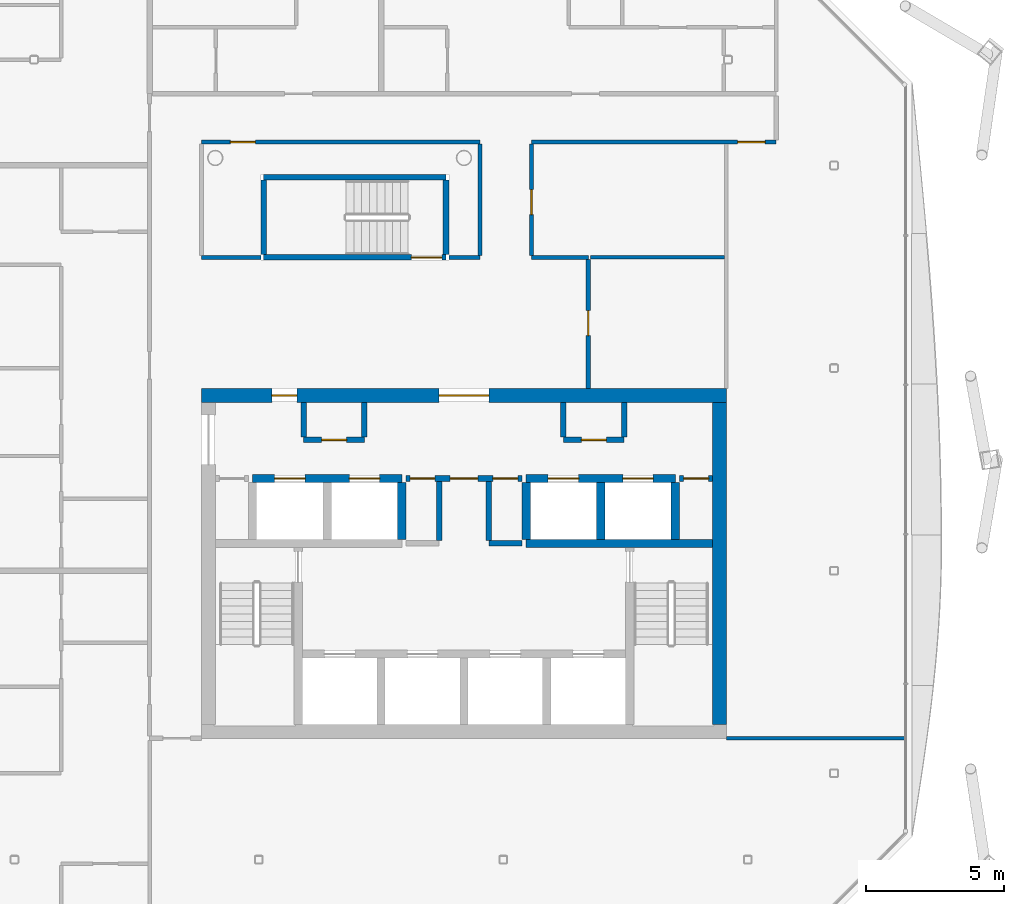
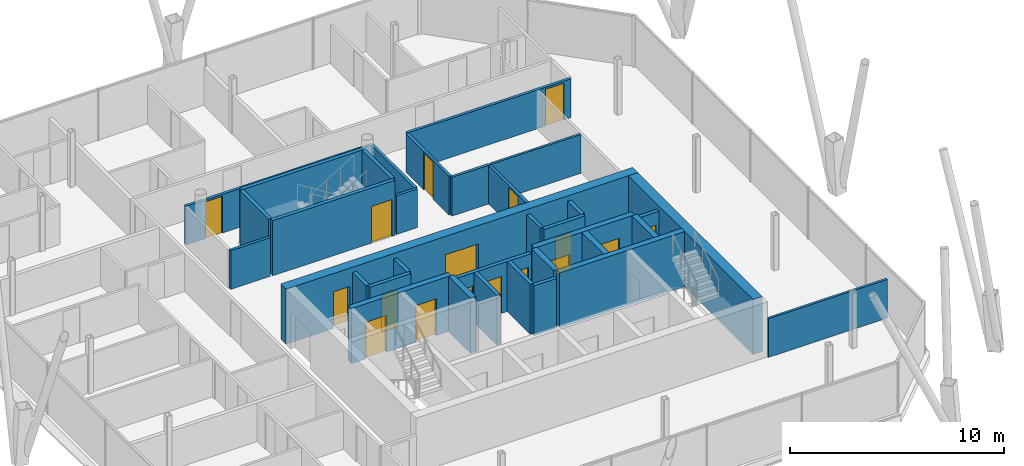
# One storey, part 13 of 18: 34 walls, 17 doors, 17 openings.
"""IFC4 building model written with IfcOpenShell, lengths in metres."""

from ifc_helpers import new_model, si_unit, direction, frame, frame_2d, origin, place, context, subcontext, project, spatial, rectangle, extrude, material, layer, layer_set, type_object, element, fill, save


model = new_model("IFC4")

# Units and contexts
model_context = context("Model", 3, precision=1e-05, world=origin(), true_north=direction((0.0, 1.0)))
body_context = subcontext(model_context, "Body", "Model", "MODEL_VIEW")
ifc_project = project(units=[si_unit("LENGTHUNIT", "METRE"), si_unit("AREAUNIT", "SQUARE_METRE"), si_unit("VOLUMEUNIT", "CUBIC_METRE"), si_unit("PLANEANGLEUNIT", "RADIAN"), si_unit("MASSUNIT", "GRAM", prefix="KILO")], contexts=[model_context])

# Site, building, storey
site_placement = place(None, origin())
site = spatial("IfcSite", under=ifc_project, at=site_placement, CompositionType="ELEMENT")
building_placement = place(site_placement, origin())
building = spatial("IfcBuilding", under=site, at=building_placement, Name="Tskaro Facet Tower", CompositionType="ELEMENT")
storey_placement = place(building_placement, frame((0.0, 0.0, 217.199951171875)))
storey = spatial("IfcBuildingStorey", under=building, at=storey_placement, Name="L55", CompositionType="ELEMENT", Elevation=217.199951171875)

# Wall
ifc_material_1 = material(Name="Concrete C60/75", Category="concrete")
ifc_layer_1 = layer(ifc_material_1, 0.300048828125, Name="Concrete C60/75")
ifc_layer_set_1 = layer_set([ifc_layer_1], Name="Concrete C60/75")
wall_type_1 = type_object("IfcWallType", Name="CORE-SHAFT", PredefinedType="SHEAR", material=ifc_layer_set_1)
wall_1_placement = place(storey_placement, frame((2.25, -4.949951171875, 0.0), z_axis=(0.0, 0.0, 1.0), x_axis=(1.0, 0.0, 0.0)))
element("IfcWall", 1, at=wall_1_placement, inside=storey, type_object=wall_type_1, Name="Shaft wall W014", PredefinedType="SHEAR", context=body_context, shape_type="SweptSolid", body=[
    extrude(rectangle(XDim=6.75, YDim=0.300048828125, at=frame_2d((3.375, 0.0))), origin(), (0.0, 0.0, 1.0), 3.150146484375),
])

# Wall, openings, doors
wall_2_placement = place(storey_placement, frame((-7.64990234375, -2.60009765625, 0.0), z_axis=(0.0, 0.0, 1.0), x_axis=(1.0, 0.0, 0.0)))
wall_2 = element("IfcWall", 2, at=wall_2_placement, inside=storey, type_object=wall_type_1, Name="Shaft wall W017", PredefinedType="SHEAR", context=body_context, shape_type="SweptSolid", body=[
    extrude(rectangle(XDim=5.39990234375, YDim=0.300048828125, at=frame_2d((2.699951171875, 0.0))), origin(), (0.0, 0.0, 1.0), 3.150146484375),
])
opening_1_placement = place(wall_2_placement, frame((0.800048828125, 0.0, 0.0)))
opening_1 = element("IfcOpeningElement", 3, at=opening_1_placement, cuts=wall_2, Name="Opening LD-HB1", PredefinedType="OPENING", context=body_context, shape_type="SweptSolid", body=[
    extrude(rectangle(XDim=1.10009765625, YDim=2.10009765625, at=frame_2d((0.550048828125, 1.050048828125))), frame((0.0, 0.159912109375, 0.0), z_axis=(0.0, -1.0, 0.0), x_axis=(1.0, 0.0, 0.0)), (0.0, 0.0, 1.0), 0.320068359375),
])
opening_2_placement = place(wall_2_placement, frame((3.5, 0.0, 0.0)))
opening_2 = element("IfcOpeningElement", 4, at=opening_2_placement, cuts=wall_2, Name="Opening LD-HB2", PredefinedType="OPENING", context=body_context, shape_type="SweptSolid", body=[
    extrude(rectangle(XDim=1.10009765625, YDim=2.10009765625, at=frame_2d((0.550048828125, 1.050048828125))), frame((0.0, 0.159912109375, 0.0), z_axis=(0.0, -1.0, 0.0), x_axis=(1.0, 0.0, 0.0)), (0.0, 0.0, 1.0), 0.320068359375),
])
ifc_material_2 = material(Name="Stainless steel", Category="steel")
door_type_1 = type_object("IfcDoorType", Name="D-LANDING", OperationType="NOTDEFINED", PredefinedType="DOOR", material=ifc_material_2)
door_1_placement = place(opening_1_placement, origin())
door_1 = element("IfcDoor", 5, at=door_1_placement, inside=storey, type_object=door_type_1, Name="Landing door HB1", OperationType="DOUBLE_DOOR_SLIDING", OverallHeight=2.10009765625, OverallWidth=1.10009765625, PredefinedType="DOOR", context=body_context, shape_type="SweptSolid", body=[
    extrude(rectangle(XDim=1.10009765625, YDim=2.10009765625, at=frame_2d((0.550048828125, 1.050048828125))), frame((0.0, 0.02490234375, 0.0), z_axis=(0.0, -1.0, 0.0), x_axis=(1.0, 0.0, 0.0)), (0.0, 0.0, 1.0), 0.050048828125),
])
fill(opening_1, door_1)
door_2_placement = place(opening_2_placement, origin())
door_2 = element("IfcDoor", 6, at=door_2_placement, inside=storey, type_object=door_type_1, Name="Landing door HB2", OperationType="DOUBLE_DOOR_SLIDING", OverallHeight=2.10009765625, OverallWidth=1.10009765625, PredefinedType="DOOR", context=body_context, shape_type="SweptSolid", body=[
    extrude(rectangle(XDim=1.10009765625, YDim=2.10009765625, at=frame_2d((0.550048828125, 1.050048828125))), frame((0.0, 0.02490234375, 0.0), z_axis=(0.0, -1.0, 0.0), x_axis=(1.0, 0.0, 0.0)), (0.0, 0.0, 1.0), 0.050048828125),
])
fill(opening_2, door_2)

wall_3_placement = place(storey_placement, frame((2.25, -2.60009765625, 0.0), z_axis=(0.0, 0.0, 1.0), x_axis=(1.0, 0.0, 0.0)))
wall_3 = element("IfcWall", 7, at=wall_3_placement, inside=storey, type_object=wall_type_1, Name="Shaft wall W019", PredefinedType="SHEAR", context=body_context, shape_type="SweptSolid", body=[
    extrude(rectangle(XDim=5.39990234375, YDim=0.300048828125, at=frame_2d((2.699951171875, 0.0))), origin(), (0.0, 0.0, 1.0), 3.150146484375),
])
opening_3_placement = place(wall_3_placement, frame((0.800048828125, 0.0, 0.0)))
opening_3 = element("IfcOpeningElement", 8, at=opening_3_placement, cuts=wall_3, Name="Opening LD-HB3", PredefinedType="OPENING", context=body_context, shape_type="SweptSolid", body=[
    extrude(rectangle(XDim=1.10009765625, YDim=2.10009765625, at=frame_2d((0.550048828125, 1.050048828125))), frame((0.0, 0.159912109375, 0.0), z_axis=(0.0, -1.0, 0.0), x_axis=(1.0, 0.0, 0.0)), (0.0, 0.0, 1.0), 0.320068359375),
])
opening_4_placement = place(wall_3_placement, frame((3.5, 0.0, 0.0)))
opening_4 = element("IfcOpeningElement", 9, at=opening_4_placement, cuts=wall_3, Name="Opening LD-HB4", PredefinedType="OPENING", context=body_context, shape_type="SweptSolid", body=[
    extrude(rectangle(XDim=1.10009765625, YDim=2.10009765625, at=frame_2d((0.550048828125, 1.050048828125))), frame((0.0, 0.159912109375, 0.0), z_axis=(0.0, -1.0, 0.0), x_axis=(1.0, 0.0, 0.0)), (0.0, 0.0, 1.0), 0.320068359375),
])
door_3_placement = place(opening_3_placement, origin())
door_3 = element("IfcDoor", 10, at=door_3_placement, inside=storey, type_object=door_type_1, Name="Landing door HB3", OperationType="DOUBLE_DOOR_SLIDING", OverallHeight=2.10009765625, OverallWidth=1.10009765625, PredefinedType="DOOR", context=body_context, shape_type="SweptSolid", body=[
    extrude(rectangle(XDim=1.10009765625, YDim=2.10009765625, at=frame_2d((0.550048828125, 1.050048828125))), frame((0.0, 0.02490234375, 0.0), z_axis=(0.0, -1.0, 0.0), x_axis=(1.0, 0.0, 0.0)), (0.0, 0.0, 1.0), 0.050048828125),
])
fill(opening_3, door_3)
door_4_placement = place(opening_4_placement, origin())
door_4 = element("IfcDoor", 11, at=door_4_placement, inside=storey, type_object=door_type_1, Name="Landing door HB4", OperationType="DOUBLE_DOOR_SLIDING", OverallHeight=2.10009765625, OverallWidth=1.10009765625, PredefinedType="DOOR", context=body_context, shape_type="SweptSolid", body=[
    extrude(rectangle(XDim=1.10009765625, YDim=2.10009765625, at=frame_2d((0.550048828125, 1.050048828125))), frame((0.0, 0.02490234375, 0.0), z_axis=(0.0, -1.0, 0.0), x_axis=(1.0, 0.0, 0.0)), (0.0, 0.0, 1.0), 0.050048828125),
])
fill(opening_4, door_4)

# Walls
for number, where, z_axis, x_axis, name in (
    (12, (-2.25, -4.800048828125, 0.0), (0.0, 0.0, 1.0), (0.0, 1.0, 0.0), "Shaft wall W065"),
    (13, (2.25, -4.800048828125, 0.0), (0.0, 0.0, 1.0), (0.0, 1.0, 0.0), "Shaft wall W072"),
    (14, (4.949951171875, -4.800048828125, 0.0), (0.0, 0.0, 1.0), (0.0, 1.0, 0.0), "Shaft wall W078"),
    (15, (7.64990234375, -4.800048828125, 0.0), (0.0, 0.0, 1.0), (0.0, 1.0, 0.0), "Shaft wall W083"),
):
    element("IfcWall", number, at=place(storey_placement, frame(where, z_axis=z_axis, x_axis=x_axis)), inside=storey, type_object=wall_type_1, Name=name, PredefinedType="SHEAR", context=body_context, shape_type="SweptSolid", body=[
        extrude(rectangle(XDim=2.050048828125, YDim=0.300048828125, at=frame_2d((1.02490234375, 0.0))), origin(), (0.0, 0.0, 1.0), 3.150146484375),
    ])
ifc_material_3 = material(Name="Concrete C20/25", Category="concrete")
ifc_layer_2 = layer(ifc_material_3, 0.199951171875, Name="Concrete C20/25")
ifc_layer_set_2 = layer_set([ifc_layer_2], Name="Concrete C20/25")
wall_type_2 = type_object("IfcWallType", Name="CORE-WALL", PredefinedType="SOLIDWALL", material=ifc_layer_set_2)
wall_4_placement = place(storey_placement, frame((0.89990234375, -4.949951171875, 0.0), z_axis=(0.0, 0.0, 1.0), x_axis=(1.0, 0.0, 0.0)))
element("IfcWall", 16, at=wall_4_placement, inside=storey, type_object=wall_type_2, Name="Core room wall W013", PredefinedType="SOLIDWALL", context=body_context, shape_type="SweptSolid", body=[
    extrude(rectangle(XDim=1.2001953125, YDim=0.199951171875, at=frame_2d((0.60009765625, 0.0))), origin(), (0.0, 0.0, 1.0), 2.85009765625),
])

# Wall, openings, doors
wall_5_placement = place(storey_placement, frame((2.10009765625, -2.60009765625, 0.0), z_axis=(0.0, 0.0, 1.0), x_axis=(-1.0, 0.0, 0.0)))
wall_5 = element("IfcWall", 17, at=wall_5_placement, inside=storey, type_object=wall_type_2, Name="Core room wall W018", PredefinedType="SOLIDWALL", context=body_context, shape_type="SweptSolid", body=[
    extrude(rectangle(XDim=4.2001953125, YDim=0.199951171875, at=frame_2d((2.10009765625, 0.0))), origin(), (0.0, 0.0, 1.0), 2.85009765625),
])
opening_5_placement = place(wall_5_placement, frame((1.60009765625, 0.0, 0.0)))
opening_5 = element("IfcOpeningElement", 18, at=opening_5_placement, cuts=wall_5, Name="Opening FL-D1", PredefinedType="OPENING", context=body_context, shape_type="SweptSolid", body=[
    extrude(rectangle(XDim=1.0, YDim=2.10009765625, at=frame_2d((0.5, 1.050048828125))), frame((0.0, 0.10986328125, 0.0), z_axis=(0.0, -1.0, 0.0), x_axis=(1.0, 0.0, 0.0)), (0.0, 0.0, 1.0), 0.219970703125),
])
opening_6_placement = place(wall_5_placement, frame((3.14990234375, 0.0, 0.0)))
opening_6 = element("IfcOpeningElement", 19, at=opening_6_placement, cuts=wall_5, Name="Opening T16-D09", PredefinedType="OPENING", context=body_context, shape_type="SweptSolid", body=[
    extrude(rectangle(XDim=0.89990234375, YDim=2.10009765625, at=frame_2d((0.449951171875, 1.050048828125))), frame((0.0, 0.10986328125, 0.0), z_axis=(0.0, -1.0, 0.0), x_axis=(1.0, 0.0, 0.0)), (0.0, 0.0, 1.0), 0.219970703125),
])
opening_7_placement = place(wall_5_placement, frame((0.14990234375, 0.0, 0.0)))
opening_7 = element("IfcOpeningElement", 20, at=opening_7_placement, cuts=wall_5, Name="Opening T16-D10", PredefinedType="OPENING", context=body_context, shape_type="SweptSolid", body=[
    extrude(rectangle(XDim=0.89990234375, YDim=2.10009765625, at=frame_2d((0.449951171875, 1.050048828125))), frame((0.0, 0.10986328125, 0.0), z_axis=(0.0, -1.0, 0.0), x_axis=(1.0, 0.0, 0.0)), (0.0, 0.0, 1.0), 0.219970703125),
])
ifc_material_4 = material(Name="Steel", Category="steel")
door_type_2 = type_object("IfcDoorType", Name="D-LOBBY", OperationType="NOTDEFINED", PredefinedType="DOOR", material=ifc_material_4)
door_5_placement = place(opening_5_placement, origin())
door_5 = element("IfcDoor", 21, at=door_5_placement, inside=storey, type_object=door_type_2, Name="Lobby door FL", OperationType="SINGLE_SWING_RIGHT", OverallHeight=2.10009765625, OverallWidth=1.0, PredefinedType="DOOR", context=body_context, shape_type="SweptSolid", body=[
    extrude(rectangle(XDim=1.0, YDim=2.10009765625, at=frame_2d((0.5, 1.050048828125))), frame((0.0, 0.02490234375, 0.0), z_axis=(0.0, -1.0, 0.0), x_axis=(1.0, 0.0, 0.0)), (0.0, 0.0, 1.0), 0.050048828125),
])
fill(opening_5, door_5)
ifc_material_5 = material(Name="Timber", Category="wood")
door_type_3 = type_object("IfcDoorType", Name="D-ROOM", OperationType="NOTDEFINED", PredefinedType="DOOR", material=ifc_material_5)
door_6_placement = place(opening_6_placement, origin())
door_6 = element("IfcDoor", 22, at=door_6_placement, inside=storey, type_object=door_type_3, Name="Door T16-D09", OperationType="SINGLE_SWING_RIGHT", OverallHeight=2.10009765625, OverallWidth=0.89990234375, PredefinedType="DOOR", context=body_context, shape_type="SweptSolid", body=[
    extrude(rectangle(XDim=0.89990234375, YDim=2.10009765625, at=frame_2d((0.449951171875, 1.050048828125))), frame((0.0, 0.02490234375, 0.0), z_axis=(0.0, -1.0, 0.0), x_axis=(1.0, 0.0, 0.0)), (0.0, 0.0, 1.0), 0.050048828125),
])
fill(opening_6, door_6)
door_7_placement = place(opening_7_placement, origin())
door_7 = element("IfcDoor", 23, at=door_7_placement, inside=storey, type_object=door_type_3, Name="Door T16-D10", OperationType="SINGLE_SWING_RIGHT", OverallHeight=2.10009765625, OverallWidth=0.89990234375, PredefinedType="DOOR", context=body_context, shape_type="SweptSolid", body=[
    extrude(rectangle(XDim=0.89990234375, YDim=2.10009765625, at=frame_2d((0.449951171875, 1.050048828125))), frame((0.0, 0.02490234375, 0.0), z_axis=(0.0, -1.0, 0.0), x_axis=(1.0, 0.0, 0.0)), (0.0, 0.0, 1.0), 0.050048828125),
])
fill(opening_7, door_7)

# Wall, opening, door
wall_6_placement = place(storey_placement, frame((9.0, -2.60009765625, 0.0), z_axis=(0.0, 0.0, 1.0), x_axis=(-1.0, 0.0, 0.0)))
wall_6 = element("IfcWall", 24, at=wall_6_placement, inside=storey, type_object=wall_type_2, Name="Core room wall W020", PredefinedType="SOLIDWALL", context=body_context, shape_type="SweptSolid", body=[
    extrude(rectangle(XDim=1.199951171875, YDim=0.199951171875, at=frame_2d((0.60009765625, 0.0))), origin(), (0.0, 0.0, 1.0), 2.85009765625),
])
opening_8_placement = place(wall_6_placement, frame((0.14990234375, 0.0, 0.0)))
opening_8 = element("IfcOpeningElement", 25, at=opening_8_placement, cuts=wall_6, Name="Opening T16-D11", PredefinedType="OPENING", context=body_context, shape_type="SweptSolid", body=[
    extrude(rectangle(XDim=0.89990234375, YDim=2.10009765625, at=frame_2d((0.449951171875, 1.050048828125))), frame((0.0, 0.10986328125, 0.0), z_axis=(0.0, -1.0, 0.0), x_axis=(1.0, 0.0, 0.0)), (0.0, 0.0, 1.0), 0.219970703125),
])
door_8_placement = place(opening_8_placement, origin())
door_8 = element("IfcDoor", 26, at=door_8_placement, inside=storey, type_object=door_type_3, Name="Door T16-D11", OperationType="SINGLE_SWING_RIGHT", OverallHeight=2.10009765625, OverallWidth=0.89990234375, PredefinedType="DOOR", context=body_context, shape_type="SweptSolid", body=[
    extrude(rectangle(XDim=0.89990234375, YDim=2.10009765625, at=frame_2d((0.449951171875, 1.050048828125))), frame((0.0, 0.02490234375, 0.0), z_axis=(0.0, -1.0, 0.0), x_axis=(1.0, 0.0, 0.0)), (0.0, 0.0, 1.0), 0.050048828125),
])
fill(opening_8, door_8)

wall_7_placement = place(storey_placement, frame((-5.800048828125, -1.199951171875, 0.0), z_axis=(0.0, 0.0, 1.0), x_axis=(1.0, 0.0, 0.0)))
wall_7 = element("IfcWall", 27, at=wall_7_placement, inside=storey, type_object=wall_type_2, Name="Core room wall W022", PredefinedType="SOLIDWALL", context=body_context, shape_type="SweptSolid", body=[
    extrude(rectangle(XDim=2.199951171875, YDim=0.199951171875, at=frame_2d((1.10009765625, 0.0))), origin(), (0.0, 0.0, 1.0), 2.85009765625),
])
opening_9_placement = place(wall_7_placement, frame((0.64990234375, 0.0, 0.0)))
opening_9 = element("IfcOpeningElement", 28, at=opening_9_placement, cuts=wall_7, Name="Opening T16-D14", PredefinedType="OPENING", context=body_context, shape_type="SweptSolid", body=[
    extrude(rectangle(XDim=0.89990234375, YDim=2.10009765625, at=frame_2d((0.449951171875, 1.050048828125))), frame((0.0, 0.10986328125, 0.0), z_axis=(0.0, -1.0, 0.0), x_axis=(1.0, 0.0, 0.0)), (0.0, 0.0, 1.0), 0.219970703125),
])
door_9_placement = place(opening_9_placement, origin())
door_9 = element("IfcDoor", 29, at=door_9_placement, inside=storey, type_object=door_type_3, Name="Door T16-D14", OperationType="SINGLE_SWING_LEFT", OverallHeight=2.10009765625, OverallWidth=0.89990234375, PredefinedType="DOOR", context=body_context, shape_type="SweptSolid", body=[
    extrude(rectangle(XDim=0.89990234375, YDim=2.10009765625, at=frame_2d((0.449951171875, 1.050048828125))), frame((0.0, 0.02490234375, 0.0), z_axis=(0.0, -1.0, 0.0), x_axis=(1.0, 0.0, 0.0)), (0.0, 0.0, 1.0), 0.050048828125),
])
fill(opening_9, door_9)

wall_8_placement = place(storey_placement, frame((3.60009765625, -1.199951171875, 0.0), z_axis=(0.0, 0.0, 1.0), x_axis=(1.0, 0.0, 0.0)))
wall_8 = element("IfcWall", 30, at=wall_8_placement, inside=storey, type_object=wall_type_2, Name="Core room wall W023", PredefinedType="SOLIDWALL", context=body_context, shape_type="SweptSolid", body=[
    extrude(rectangle(XDim=2.199951171875, YDim=0.199951171875, at=frame_2d((1.10009765625, 0.0))), origin(), (0.0, 0.0, 1.0), 2.85009765625),
])
opening_10_placement = place(wall_8_placement, frame((0.64990234375, 0.0, 0.0)))
opening_10 = element("IfcOpeningElement", 31, at=opening_10_placement, cuts=wall_8, Name="Opening T16-D15", PredefinedType="OPENING", context=body_context, shape_type="SweptSolid", body=[
    extrude(rectangle(XDim=0.89990234375, YDim=2.10009765625, at=frame_2d((0.449951171875, 1.050048828125))), frame((0.0, 0.10986328125, 0.0), z_axis=(0.0, -1.0, 0.0), x_axis=(1.0, 0.0, 0.0)), (0.0, 0.0, 1.0), 0.219970703125),
])
door_10_placement = place(opening_10_placement, origin())
door_10 = element("IfcDoor", 32, at=door_10_placement, inside=storey, type_object=door_type_3, Name="Door T16-D15", OperationType="SINGLE_SWING_LEFT", OverallHeight=2.10009765625, OverallWidth=0.89990234375, PredefinedType="DOOR", context=body_context, shape_type="SweptSolid", body=[
    extrude(rectangle(XDim=0.89990234375, YDim=2.10009765625, at=frame_2d((0.449951171875, 1.050048828125))), frame((0.0, 0.02490234375, 0.0), z_axis=(0.0, -1.0, 0.0), x_axis=(1.0, 0.0, 0.0)), (0.0, 0.0, 1.0), 0.050048828125),
])
fill(opening_10, door_10)

# Walls
for number, where, z_axis, x_axis, name in (
    (33, (-5.800048828125, -1.10009765625, 0.0), (0.0, 0.0, 1.0), (0.0, 1.0, 0.0), "Core room wall W059"),
    (34, (-3.60009765625, -1.10009765625, 0.0), (0.0, 0.0, 1.0), (0.0, 1.0, 0.0), "Core room wall W061"),
):
    element("IfcWall", number, at=place(storey_placement, frame(where, z_axis=z_axis, x_axis=x_axis)), inside=storey, type_object=wall_type_2, Name=name, PredefinedType="SOLIDWALL", context=body_context, shape_type="SweptSolid", body=[
        extrude(rectangle(XDim=1.25, YDim=0.199951171875, at=frame_2d((0.625, 0.0))), origin(), (0.0, 0.0, 1.0), 2.85009765625),
    ])
for number, where, z_axis, x_axis, name in (
    (35, (-0.89990234375, -4.85009765625, 0.0), (0.0, 0.0, 1.0), (0.0, 1.0, 0.0), "Core room wall W066"),
    (36, (0.89990234375, -4.85009765625, 0.0), (0.0, 0.0, 1.0), (0.0, 1.0, 0.0), "Core room wall W071"),
):
    element("IfcWall", number, at=place(storey_placement, frame(where, z_axis=z_axis, x_axis=x_axis)), inside=storey, type_object=wall_type_2, Name=name, PredefinedType="SOLIDWALL", context=body_context, shape_type="SweptSolid", body=[
        extrude(rectangle(XDim=2.150146484375, YDim=0.199951171875, at=frame_2d((1.0751953125, 0.0))), origin(), (0.0, 0.0, 1.0), 2.85009765625),
    ])
for number, where, z_axis, x_axis, name in (
    (37, (3.60009765625, -1.10009765625, 0.0), (0.0, 0.0, 1.0), (0.0, 1.0, 0.0), "Core room wall W075"),
    (38, (5.800048828125, -1.10009765625, 0.0), (0.0, 0.0, 1.0), (0.0, 1.0, 0.0), "Core room wall W081"),
):
    element("IfcWall", number, at=place(storey_placement, frame(where, z_axis=z_axis, x_axis=x_axis)), inside=storey, type_object=wall_type_2, Name=name, PredefinedType="SOLIDWALL", context=body_context, shape_type="SweptSolid", body=[
        extrude(rectangle(XDim=1.25, YDim=0.199951171875, at=frame_2d((0.625, 0.0))), origin(), (0.0, 0.0, 1.0), 2.85009765625),
    ])

# Wall, openings, doors
ifc_material_6 = material(Name="Concrete C40/50", Category="concrete")
ifc_layer_3 = layer(ifc_material_6, 0.5, Name="Concrete C40/50")
ifc_layer_set_3 = layer_set([ifc_layer_3], Name="Concrete C40/50")
wall_type_3 = type_object("IfcWallType", Name="Core wall 500", PredefinedType="SHEAR", material=ifc_layer_set_3)
wall_9_placement = place(storey_placement, frame((-9.5, 0.39990234375, 0.0), z_axis=(0.0, 0.0, 1.0), x_axis=(1.0, 0.0, 0.0)))
wall_9 = element("IfcWall", 39, at=wall_9_placement, inside=storey, type_object=wall_type_3, Name="Core wall CW-Z3N", PredefinedType="SHEAR", context=body_context, shape_type="SweptSolid", body=[
    extrude(rectangle(XDim=19.0, YDim=0.5, at=frame_2d((9.5, 0.0))), origin(), (0.0, 0.0, 1.0), 3.150146484375),
])
opening_11_placement = place(wall_9_placement, frame((8.60009765625, 0.0, 0.0)))
opening_11 = element("IfcOpeningElement", 40, at=opening_11_placement, cuts=wall_9, Name="Opening T16-D18", PredefinedType="OPENING", context=body_context, shape_type="SweptSolid", body=[
    extrude(rectangle(XDim=1.800048828125, YDim=2.10009765625, at=frame_2d((0.89990234375, 1.050048828125))), frame((0.0, 0.260009765625, 0.0), z_axis=(0.0, -1.0, 0.0), x_axis=(1.0, 0.0, 0.0)), (0.0, 0.0, 1.0), 0.52001953125),
])
opening_12_placement = place(wall_9_placement, frame((2.550048828125, 0.0, 0.0)))
opening_12 = element("IfcOpeningElement", 41, at=opening_12_placement, cuts=wall_9, Name="Opening T16-D17", PredefinedType="OPENING", context=body_context, shape_type="SweptSolid", body=[
    extrude(rectangle(XDim=0.89990234375, YDim=2.10009765625, at=frame_2d((0.449951171875, 1.050048828125))), frame((0.0, 0.260009765625, 0.0), z_axis=(0.0, -1.0, 0.0), x_axis=(1.0, 0.0, 0.0)), (0.0, 0.0, 1.0), 0.52001953125),
])
door_type_4 = type_object("IfcDoorType", Name="D-CORE-PAIR", OperationType="NOTDEFINED", PredefinedType="DOOR", material=ifc_material_4)
door_11_placement = place(opening_11_placement, origin())
door_11 = element("IfcDoor", 42, at=door_11_placement, inside=storey, type_object=door_type_4, Name="Door T16-D18", OperationType="DOUBLE_DOOR_SINGLE_SWING", OverallHeight=2.10009765625, OverallWidth=1.800048828125, PredefinedType="DOOR", context=body_context, shape_type="SweptSolid", body=[
    extrude(rectangle(XDim=1.800048828125, YDim=2.10009765625, at=frame_2d((0.89990234375, 1.050048828125))), frame((0.0, 0.02490234375, 0.0), z_axis=(0.0, -1.0, 0.0), x_axis=(1.0, 0.0, 0.0)), (0.0, 0.0, 1.0), 0.050048828125),
])
fill(opening_11, door_11)
door_12_placement = place(opening_12_placement, origin())
door_12 = element("IfcDoor", 43, at=door_12_placement, inside=storey, type_object=door_type_3, Name="Door T16-D17", OperationType="SINGLE_SWING_LEFT", OverallHeight=2.10009765625, OverallWidth=0.89990234375, PredefinedType="DOOR", context=body_context, shape_type="SweptSolid", body=[
    extrude(rectangle(XDim=0.89990234375, YDim=2.10009765625, at=frame_2d((0.449951171875, 1.050048828125))), frame((0.0, 0.02490234375, 0.0), z_axis=(0.0, -1.0, 0.0), x_axis=(1.0, 0.0, 0.0)), (0.0, 0.0, 1.0), 0.050048828125),
])
fill(opening_12, door_12)

# Walls
wall_10_placement = place(storey_placement, frame((9.25, -11.5, 0.0), z_axis=(0.0, 0.0, 1.0), x_axis=(0.0, 1.0, 0.0)))
element("IfcWall", 44, at=wall_10_placement, inside=storey, type_object=wall_type_3, Name="Core wall CW-Z3E", PredefinedType="SHEAR", context=body_context, shape_type="SweptSolid", body=[
    extrude(rectangle(XDim=11.64990234375, YDim=0.5, at=frame_2d((5.824951171875, 0.0))), origin(), (0.0, 0.0, 1.0), 3.150146484375),
])
ifc_material_7 = material(Name="Gypsum board on steel studs", Category="steel")
ifc_layer_4 = layer(ifc_material_7, 0.125, Name="Gypsum board on steel studs")
ifc_layer_set_4 = layer_set([ifc_layer_4], Name="Gypsum board on steel studs")
wall_type_4 = type_object("IfcWallType", Name="PART", PredefinedType="PARTITIONING", material=ifc_layer_set_4)
wall_11_placement = place(storey_placement, frame((9.5, -12.0, 0.0), z_axis=(0.0, 0.0, 1.0), x_axis=(1.0, 0.0, 0.0)))
element("IfcWall", 45, at=wall_11_placement, inside=storey, type_object=wall_type_4, Name="Partition W005", PredefinedType="PARTITIONING", context=body_context, shape_type="SweptSolid", body=[
    extrude(rectangle(XDim=6.43505859375, YDim=0.125, at=frame_2d((3.217529296875, 0.0))), origin(), (0.0, 0.0, 1.0), 2.2099609375),
])
wall_12_placement = place(storey_placement, frame((4.574951171875, 5.39990234375, 0.0), z_axis=(0.0, 0.0, 1.0), x_axis=(1.0, 0.0, 0.0)))
element("IfcWall", 46, at=wall_12_placement, inside=storey, type_object=wall_type_4, Name="Partition W031", PredefinedType="PARTITIONING", context=body_context, shape_type="SweptSolid", body=[
    extrude(rectangle(XDim=4.862548828125, YDim=0.125, at=frame_2d((2.43115234375, 0.0))), origin(), (0.0, 0.0, 1.0), 2.2099609375),
])
ifc_layer_5 = layer(ifc_material_7, 0.14990234375, Name="Gypsum board on steel studs")
ifc_layer_set_5 = layer_set([ifc_layer_5], Name="Gypsum board on steel studs")
wall_type_5 = type_object("IfcWallType", Name="PART-CORR", PredefinedType="PARTITIONING", material=ifc_layer_set_5)
wall_13_placement = place(storey_placement, frame((-9.5, 5.39990234375, 0.0), z_axis=(0.0, 0.0, 1.0), x_axis=(1.0, 0.0, 0.0)))
element("IfcWall", 47, at=wall_13_placement, inside=storey, type_object=wall_type_5, Name="Corridor wall W027", PredefinedType="PARTITIONING", context=body_context, shape_type="SweptSolid", body=[
    extrude(rectangle(XDim=2.14990234375, YDim=0.14990234375, at=frame_2d((1.074951171875, 0.0))), origin(), (0.0, 0.0, 1.0), 2.2099609375),
])
wall_14_placement = place(storey_placement, frame((-0.550048828125, 5.39990234375, 0.0), z_axis=(0.0, 0.0, 1.0), x_axis=(1.0, 0.0, 0.0)))
element("IfcWall", 48, at=wall_14_placement, inside=storey, type_object=wall_type_5, Name="Corridor wall W029", PredefinedType="PARTITIONING", context=body_context, shape_type="SweptSolid", body=[
    extrude(rectangle(XDim=1.125, YDim=0.14990234375, at=frame_2d((0.5625, 0.0))), origin(), (0.0, 0.0, 1.0), 2.2099609375),
])
wall_15_placement = place(storey_placement, frame((2.449951171875, 5.39990234375, 0.0), z_axis=(0.0, 0.0, 1.0), x_axis=(1.0, 0.0, 0.0)))
element("IfcWall", 49, at=wall_15_placement, inside=storey, type_object=wall_type_5, Name="Corridor wall W030", PredefinedType="PARTITIONING", context=body_context, shape_type="SweptSolid", body=[
    extrude(rectangle(XDim=2.050048828125, YDim=0.14990234375, at=frame_2d((1.02490234375, 0.0))), origin(), (0.0, 0.0, 1.0), 2.2099609375),
])

# Wall, opening, door
wall_16_placement = place(storey_placement, frame((0.574951171875, 9.574951171875, 0.0), z_axis=(0.0, 0.0, 1.0), x_axis=(-1.0, 0.0, 0.0)))
wall_16 = element("IfcWall", 50, at=wall_16_placement, inside=storey, type_object=wall_type_5, Name="Corridor wall W036", PredefinedType="PARTITIONING", context=body_context, shape_type="SweptSolid", body=[
    extrude(rectangle(XDim=10.074951171875, YDim=0.14990234375, at=frame_2d((5.03759765625, 0.0))), origin(), (0.0, 0.0, 1.0), 2.2099609375),
])
opening_13_placement = place(wall_16_placement, frame((8.125, 0.0, 0.0)))
opening_13 = element("IfcOpeningElement", 51, at=opening_13_placement, cuts=wall_16, Name="Opening T16-D24", PredefinedType="OPENING", context=body_context, shape_type="SweptSolid", body=[
    extrude(rectangle(XDim=0.89990234375, YDim=2.10009765625, at=frame_2d((0.449951171875, 1.050048828125))), frame((0.0, 0.0849609375, 0.0), z_axis=(0.0, -1.0, 0.0), x_axis=(1.0, 0.0, 0.0)), (0.0, 0.0, 1.0), 0.169921875),
])
door_13_placement = place(opening_13_placement, origin())
door_13 = element("IfcDoor", 52, at=door_13_placement, inside=storey, type_object=door_type_3, Name="Door T16-D24", OperationType="SINGLE_SWING_RIGHT", OverallHeight=2.10009765625, OverallWidth=0.89990234375, PredefinedType="DOOR", context=body_context, shape_type="SweptSolid", body=[
    extrude(rectangle(XDim=0.89990234375, YDim=2.10009765625, at=frame_2d((0.449951171875, 1.050048828125))), frame((0.0, 0.02490234375, 0.0), z_axis=(0.0, -1.0, 0.0), x_axis=(1.0, 0.0, 0.0)), (0.0, 0.0, 1.0), 0.050048828125),
])
fill(opening_13, door_13)

wall_17_placement = place(storey_placement, frame((11.300048828125, 9.574951171875, 0.0), z_axis=(0.0, 0.0, 1.0), x_axis=(-1.0, 0.0, 0.0)))
wall_17 = element("IfcWall", 53, at=wall_17_placement, inside=storey, type_object=wall_type_5, Name="Corridor wall W037", PredefinedType="PARTITIONING", context=body_context, shape_type="SweptSolid", body=[
    extrude(rectangle(XDim=8.85009765625, YDim=0.14990234375, at=frame_2d((4.425048828125, 0.0))), origin(), (0.0, 0.0, 1.0), 2.2099609375),
])
opening_14_placement = place(wall_17_placement, frame((0.39990234375, 0.0, 0.0)))
opening_14 = element("IfcOpeningElement", 54, at=opening_14_placement, cuts=wall_17, Name="Opening T16-D25", PredefinedType="OPENING", context=body_context, shape_type="SweptSolid", body=[
    extrude(rectangle(XDim=1.0, YDim=2.10009765625, at=frame_2d((0.5, 1.050048828125))), frame((0.0, 0.0849609375, 0.0), z_axis=(0.0, -1.0, 0.0), x_axis=(1.0, 0.0, 0.0)), (0.0, 0.0, 1.0), 0.169921875),
])
door_type_5 = type_object("IfcDoorType", Name="D-ROOM-WIDE", OperationType="NOTDEFINED", PredefinedType="DOOR", material=ifc_material_5)
door_14_placement = place(opening_14_placement, origin())
door_14 = element("IfcDoor", 55, at=door_14_placement, inside=storey, type_object=door_type_5, Name="Door T16-D25", OperationType="SINGLE_SWING_RIGHT", OverallHeight=2.10009765625, OverallWidth=1.0, PredefinedType="DOOR", context=body_context, shape_type="SweptSolid", body=[
    extrude(rectangle(XDim=1.0, YDim=2.10009765625, at=frame_2d((0.5, 1.050048828125))), frame((0.0, 0.02490234375, 0.0), z_axis=(0.0, -1.0, 0.0), x_axis=(1.0, 0.0, 0.0)), (0.0, 0.0, 1.0), 0.050048828125),
])
fill(opening_14, door_14)

# Wall
wall_18_placement = place(storey_placement, frame((0.574951171875, 5.47509765625, 0.0), z_axis=(0.0, 0.0, 1.0), x_axis=(0.0, 1.0, 0.0)))
element("IfcWall", 56, at=wall_18_placement, inside=storey, type_object=wall_type_5, Name="Corridor wall W070", PredefinedType="PARTITIONING", context=body_context, shape_type="SweptSolid", body=[
    extrude(rectangle(XDim=4.02490234375, YDim=0.14990234375, at=frame_2d((2.012451171875, 0.0))), origin(), (0.0, 0.0, 1.0), 2.2099609375),
])

# Wall, opening, door
wall_19_placement = place(storey_placement, frame((2.449951171875, 9.5, 0.0), z_axis=(0.0, 0.0, 1.0), x_axis=(0.0, -1.0, 0.0)))
wall_19 = element("IfcWall", 57, at=wall_19_placement, inside=storey, type_object=wall_type_5, Name="Corridor wall W073", PredefinedType="PARTITIONING", context=body_context, shape_type="SweptSolid", body=[
    extrude(rectangle(XDim=4.02490234375, YDim=0.14990234375, at=frame_2d((2.012451171875, 0.0))), origin(), (0.0, 0.0, 1.0), 2.2099609375),
])
opening_15_placement = place(wall_19_placement, frame((1.64990234375, 0.0, 0.0)))
opening_15 = element("IfcOpeningElement", 58, at=opening_15_placement, cuts=wall_19, Name="Opening T16-D23", PredefinedType="OPENING", context=body_context, shape_type="SweptSolid", body=[
    extrude(rectangle(XDim=0.89990234375, YDim=2.10009765625, at=frame_2d((0.449951171875, 1.050048828125))), frame((0.0, 0.0849609375, 0.0), z_axis=(0.0, -1.0, 0.0), x_axis=(1.0, 0.0, 0.0)), (0.0, 0.0, 1.0), 0.169921875),
])
door_15_placement = place(opening_15_placement, origin())
door_15 = element("IfcDoor", 59, at=door_15_placement, inside=storey, type_object=door_type_3, Name="Door T16-D23", OperationType="SINGLE_SWING_RIGHT", OverallHeight=2.10009765625, OverallWidth=0.89990234375, PredefinedType="DOOR", context=body_context, shape_type="SweptSolid", body=[
    extrude(rectangle(XDim=0.89990234375, YDim=2.10009765625, at=frame_2d((0.449951171875, 1.050048828125))), frame((0.0, 0.02490234375, 0.0), z_axis=(0.0, -1.0, 0.0), x_axis=(1.0, 0.0, 0.0)), (0.0, 0.0, 1.0), 0.050048828125),
])
fill(opening_15, door_15)

wall_20_placement = place(storey_placement, frame((4.5, 5.324951171875, 0.0), z_axis=(0.0, 0.0, 1.0), x_axis=(0.0, -1.0, 0.0)))
wall_20 = element("IfcWall", 60, at=wall_20_placement, inside=storey, type_object=wall_type_5, Name="Corridor wall W077", PredefinedType="PARTITIONING", context=body_context, shape_type="SweptSolid", body=[
    extrude(rectangle(XDim=4.675048828125, YDim=0.14990234375, at=frame_2d((2.33740234375, 0.0))), origin(), (0.0, 0.0, 1.0), 2.2099609375),
])
opening_16_placement = place(wall_20_placement, frame((1.85009765625, 0.0, 0.0)))
opening_16 = element("IfcOpeningElement", 61, at=opening_16_placement, cuts=wall_20, Name="Opening T16-D20", PredefinedType="OPENING", context=body_context, shape_type="SweptSolid", body=[
    extrude(rectangle(XDim=0.89990234375, YDim=2.10009765625, at=frame_2d((0.449951171875, 1.050048828125))), frame((0.0, 0.0849609375, 0.0), z_axis=(0.0, -1.0, 0.0), x_axis=(1.0, 0.0, 0.0)), (0.0, 0.0, 1.0), 0.169921875),
])
door_16_placement = place(opening_16_placement, origin())
door_16 = element("IfcDoor", 62, at=door_16_placement, inside=storey, type_object=door_type_3, Name="Door T16-D20", OperationType="SINGLE_SWING_RIGHT", OverallHeight=2.10009765625, OverallWidth=0.89990234375, PredefinedType="DOOR", context=body_context, shape_type="SweptSolid", body=[
    extrude(rectangle(XDim=0.89990234375, YDim=2.10009765625, at=frame_2d((0.449951171875, 1.050048828125))), frame((0.0, 0.02490234375, 0.0), z_axis=(0.0, -1.0, 0.0), x_axis=(1.0, 0.0, 0.0)), (0.0, 0.0, 1.0), 0.050048828125),
])
fill(opening_16, door_16)

ifc_layer_6 = layer(ifc_material_1, 0.199951171875, Name="Concrete C60/75")
ifc_layer_set_6 = layer_set([ifc_layer_6], Name="Concrete C60/75")
wall_type_6 = type_object("IfcWallType", Name="STAIR-WALL", PredefinedType="SHEAR", material=ifc_layer_set_6)
wall_21_placement = place(storey_placement, frame((-7.25, 5.39990234375, 0.0), z_axis=(0.0, 0.0, 1.0), x_axis=(1.0, 0.0, 0.0)))
wall_21 = element("IfcWall", 63, at=wall_21_placement, inside=storey, type_object=wall_type_6, Name="Stair wall W028", PredefinedType="SHEAR", context=body_context, shape_type="SweptSolid", body=[
    extrude(rectangle(XDim=6.60009765625, YDim=0.199951171875, at=frame_2d((3.300048828125, 0.0))), origin(), (0.0, 0.0, 1.0), 3.150146484375),
])
opening_17_placement = place(wall_21_placement, frame((5.35009765625, 0.0, 0.0)))
opening_17 = element("IfcOpeningElement", 64, at=opening_17_placement, cuts=wall_21, Name="Opening ST-3-D1", PredefinedType="OPENING", context=body_context, shape_type="SweptSolid", body=[
    extrude(rectangle(XDim=1.10009765625, YDim=2.10009765625, at=frame_2d((0.550048828125, 1.050048828125))), frame((0.0, 0.10986328125, 0.0), z_axis=(0.0, -1.0, 0.0), x_axis=(1.0, 0.0, 0.0)), (0.0, 0.0, 1.0), 0.219970703125),
])
door_type_6 = type_object("IfcDoorType", Name="D-STAIR", OperationType="NOTDEFINED", PredefinedType="DOOR", material=ifc_material_4)
door_17_placement = place(opening_17_placement, origin())
door_17 = element("IfcDoor", 65, at=door_17_placement, inside=storey, type_object=door_type_6, Name="Stair door 3", OperationType="SINGLE_SWING_LEFT", OverallHeight=2.10009765625, OverallWidth=1.10009765625, PredefinedType="DOOR", context=body_context, shape_type="SweptSolid", body=[
    extrude(rectangle(XDim=1.10009765625, YDim=2.10009765625, at=frame_2d((0.550048828125, 1.050048828125))), frame((0.0, 0.02490234375, 0.0), z_axis=(0.0, -1.0, 0.0), x_axis=(1.0, 0.0, 0.0)), (0.0, 0.0, 1.0), 0.050048828125),
])
fill(opening_17, door_17)

# Walls
wall_22_placement = place(storey_placement, frame((-7.25, 8.300048828125, 0.0), z_axis=(0.0, 0.0, 1.0), x_axis=(1.0, 0.0, 0.0)))
element("IfcWall", 66, at=wall_22_placement, inside=storey, type_object=wall_type_6, Name="Stair wall W033", PredefinedType="SHEAR", context=body_context, shape_type="SweptSolid", body=[
    extrude(rectangle(XDim=6.60009765625, YDim=0.199951171875, at=frame_2d((3.300048828125, 0.0))), origin(), (0.0, 0.0, 1.0), 3.150146484375),
])
for number, where, z_axis, x_axis, name in (
    (67, (-7.25, 5.5, 0.0), (0.0, 0.0, 1.0), (0.0, 1.0, 0.0), "Stair wall W056"),
    (68, (-0.64990234375, 5.5, 0.0), (0.0, 0.0, 1.0), (0.0, 1.0, 0.0), "Stair wall W067"),
):
    element("IfcWall", number, at=place(storey_placement, frame(where, z_axis=z_axis, x_axis=x_axis)), inside=storey, type_object=wall_type_6, Name=name, PredefinedType="SHEAR", context=body_context, shape_type="SweptSolid", body=[
        extrude(rectangle(XDim=2.699951171875, YDim=0.199951171875, at=frame_2d((1.35009765625, 0.0))), origin(), (0.0, 0.0, 1.0), 3.150146484375),
    ])

save(model, "model.ifc")
